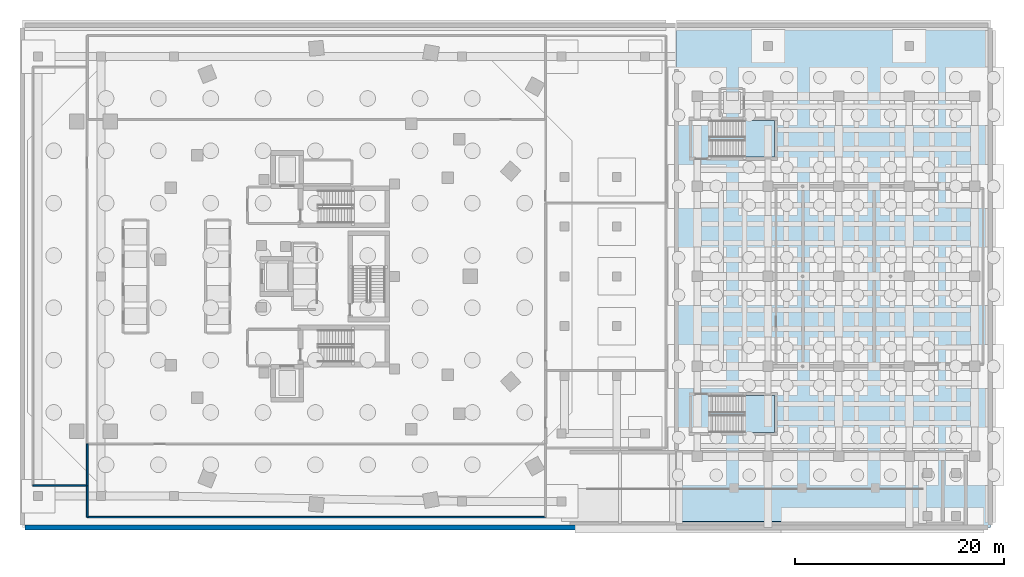
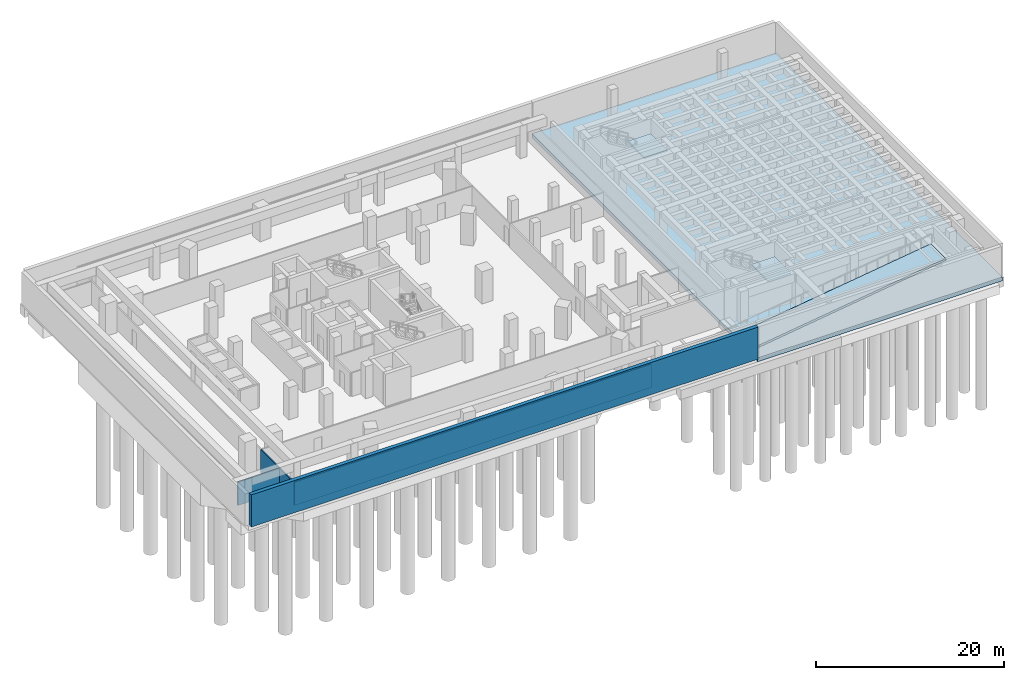
# One storey, part 7 of 15: 5 walls, 4 slabs, 2 elements without a shape of their own.
"""IFC4 building model written with IfcOpenShell, lengths in metres."""

from ifc_helpers import new_model, si_unit, direction, frame, frame_2d, origin, place, context, subcontext, project, spatial, polyline, rectangle, outline, extrude, material, layer, layer_set, type_object, element, aggregate, save


model = new_model("IFC4")

# Units and contexts
model_context = context("Model", 3, precision=1e-05, world=origin(), true_north=direction((0.0, 1.0)))
body_context = subcontext(model_context, "Body", "Model", "MODEL_VIEW")
ifc_project = project(units=[si_unit("LENGTHUNIT", "METRE"), si_unit("AREAUNIT", "SQUARE_METRE"), si_unit("VOLUMEUNIT", "CUBIC_METRE"), si_unit("PLANEANGLEUNIT", "RADIAN"), si_unit("MASSUNIT", "GRAM", prefix="KILO")], contexts=[model_context])

# Site, building, storey
site_placement = place(None, origin())
site = spatial("IfcSite", under=ifc_project, at=site_placement, CompositionType="ELEMENT")
building_placement = place(site_placement, origin())
building = spatial("IfcBuilding", under=site, at=building_placement, Name="Korentha Bioscience Tower", CompositionType="ELEMENT")
storey_placement = place(building_placement, frame((0.0, 0.0, -9.0)))
storey = spatial("IfcBuildingStorey", under=building, at=storey_placement, Name="B2", CompositionType="ELEMENT", Elevation=-9.0)

# Slab
ifc_material_1 = material(Name="Concrete C50", Category="concrete")
ifc_layer_1 = layer(ifc_material_1, 0.5, Name="Concrete C50")
ifc_layer_set_1 = layer_set([ifc_layer_1], Name="Concrete C50 (SL-B2)")
slab_type_1 = type_object("IfcSlabType", Name="Basement Mat Base Slab 300", PredefinedType="BASESLAB", material=ifc_layer_set_1)
slab_1_placement = place(storey_placement, frame((0.0, 0.0, -0.5)))
element("IfcSlab", 1, at=slab_1_placement, inside=storey, type_object=slab_type_1, Name="B2 Civic Theatre Mat Base Slab", PredefinedType="BASESLAB", context=body_context, shape_type="SweptSolid", body=[
    extrude(outline(polyline([(64.5, 3.0), (94.5, 3.0), (94.5, 51.0), (64.5, 51.0), (64.5, 3.0)])), origin(), (0.0, 0.0, 1.0), 0.5),
])

# Stair, slab
ifc_material_2 = material(Name="Precast Concrete C50", Category="concrete")
stair_type = type_object("IfcStairType", Name="Theatre Public Dog-Leg Stair 1650", PredefinedType="HALF_TURN_STAIR", material=ifc_material_2)
stair_1_placement = place(storey_placement, origin())
stair_1 = element("IfcStair", 2, at=stair_1_placement, inside=storey, type_object=stair_type, Name="B2 Civic Theatre South Exit Stair ST-T1", PredefinedType="HALF_TURN_STAIR")
ifc_layer_2 = layer(ifc_material_1, 0.199951171875, Name="Concrete C50")
ifc_layer_set_2 = layer_set([ifc_layer_2], Name="Concrete C50 (SL-LND)")
slab_type_2 = type_object("IfcSlabType", Name="Landing Slab 200", PredefinedType="LANDING", material=ifc_layer_set_2)
slab_2_placement = place(storey_placement, frame((0.0, 0.0, 2.050048828125)))
slab_2 = element("IfcSlab", 3, at=slab_2_placement, type_object=slab_type_2, Name="ST-T1 landing 1", PredefinedType="LANDING", context=body_context, shape_type="SweptSolid", body=[
    extrude(outline(polyline([(71.010009765625, 12.10009765625), (73.85009765625, 12.10009765625), (73.85009765625, 15.60009765625), (71.010009765625, 15.60009765625), (71.010009765625, 12.10009765625)])), origin(), (0.0, 0.0, 1.0), 0.199951171875),
])
aggregate(stair_1, [slab_2])

stair_2_placement = place(storey_placement, origin())
stair_2 = element("IfcStair", 4, at=stair_2_placement, inside=storey, type_object=stair_type, Name="B2 Civic Theatre North Exit Stair ST-T2", PredefinedType="HALF_TURN_STAIR")
slab_3_placement = place(storey_placement, frame((0.0, 0.0, 2.050048828125)))
slab_3 = element("IfcSlab", 5, at=slab_3_placement, type_object=slab_type_2, Name="ST-T2 landing 1", PredefinedType="LANDING", context=body_context, shape_type="SweptSolid", body=[
    extrude(outline(polyline([(71.010009765625, 38.39990234375), (73.85009765625, 38.39990234375), (73.85009765625, 41.89990234375), (71.010009765625, 41.89990234375), (71.010009765625, 38.39990234375)])), origin(), (0.0, 0.0, 1.0), 0.199951171875),
])
aggregate(stair_2, [slab_3])

# Slab
ifc_material_3 = material(Name="Concrete C40", Category="concrete")
ifc_layer_3 = layer(ifc_material_3, 0.260009765625, Name="Concrete C40")
ifc_layer_set_3 = layer_set([ifc_layer_3], Name="Concrete C40 (SL-RMP)")
slab_type_3 = type_object("IfcSlabType", Name="Vehicle Ramp Structural Slab 260", PredefinedType="FLOOR", material=ifc_layer_set_3)
slab_4_placement = place(storey_placement, frame((64.5, 3.60009765625, 1.04833984375), z_axis=(-0.140015178386, 0.0, 0.99014935733), x_axis=(0.99014935733, 0.0, 0.140015178386)))
element("IfcSlab", 6, at=slab_4_placement, inside=storey, type_object=slab_type_3, Name="B2-B1 East Vehicle Ramp Structural Slab", PredefinedType="FLOOR", context=body_context, shape_type="SweptSolid", body=[
    extrude(outline(polyline([(0.0, 0.0), (23.65283203125, 0.0), (23.65283203125, 3.14990234375), (0.0, 3.14990234375), (0.0, 0.0)])), origin(), (0.0, 0.0, -1.0), 0.260009765625),
])

# Walls
ifc_material_4 = material(Name="Double-Stud Acoustic Gypsum", Category="gypsum")
ifc_layer_4 = layer(ifc_material_4, 0.14990234375, Name="Double-Stud Acoustic Gypsum")
ifc_layer_set_4 = layer_set([ifc_layer_4], Name="Double-Stud Acoustic Gypsum (IW-L150)")
wall_type_1 = type_object("IfcWallType", Name="Acoustic Laboratory Partition Wall 150", PredefinedType="PARTITIONING", material=ifc_layer_set_4)
wall_1_placement = place(storey_placement, frame((8.199951171875, 10.989990234375, 0.0), z_axis=(0.0, 0.0, 1.0), x_axis=(0.0, -1.0, 0.0)))
element("IfcWall", 7, at=wall_1_placement, inside=storey, type_object=wall_type_1, Name="B2 Interior Partition 009", PredefinedType="PARTITIONING", context=body_context, shape_type="SweptSolid", body=[
    extrude(rectangle(XDim=3.989990234375, YDim=0.14990234375, at=frame_2d((1.9951171875, 0.0))), origin(), (0.0, 0.0, 1.0), 3.0400390625),
])
wall_2_placement = place(storey_placement, frame((8.199951171875, 7.0, 0.0), z_axis=(0.0, 0.0, 1.0), x_axis=(-1.0, 0.0, 0.0)))
element("IfcWall", 8, at=wall_2_placement, inside=storey, type_object=wall_type_1, Name="B2 Interior Partition 010", PredefinedType="PARTITIONING", context=body_context, shape_type="SweptSolid", body=[
    extrude(rectangle(XDim=5.199951171875, YDim=0.14990234375, at=frame_2d((2.60009765625, 0.0))), origin(), (0.0, 0.0, 1.0), 3.0400390625),
])
wall_3_placement = place(storey_placement, frame((52.0, 4.0, 0.0), z_axis=(0.0, 0.0, 1.0), x_axis=(-1.0, 0.0, 0.0)))
element("IfcWall", 9, at=wall_3_placement, inside=storey, type_object=wall_type_1, Name="B2 Interior Partition 016", PredefinedType="PARTITIONING", context=body_context, shape_type="SweptSolid", body=[
    extrude(rectangle(XDim=43.800048828125, YDim=0.14990234375, at=frame_2d((21.89990234375, 0.0))), origin(), (0.0, 0.0, 1.0), 3.0400390625),
])
wall_4_placement = place(storey_placement, frame((8.199951171875, 4.0, 0.0), z_axis=(0.0, 0.0, 1.0), x_axis=(0.0, 1.0, 0.0)))
element("IfcWall", 10, at=wall_4_placement, inside=storey, type_object=wall_type_1, Name="B2 Interior Partition 017", PredefinedType="PARTITIONING", context=body_context, shape_type="SweptSolid", body=[
    extrude(rectangle(XDim=2.989990234375, YDim=0.14990234375, at=frame_2d((1.4951171875, 0.0))), origin(), (0.0, 0.0, 1.0), 3.0400390625),
])
ifc_layer_5 = layer(ifc_material_1, 0.449951171875, Name="Concrete C50")
ifc_layer_set_5 = layer_set([ifc_layer_5], Name="Concrete C50 (RW-01)")
wall_type_2 = type_object("IfcWallType", Name="Basement Perimeter Retaining Wall 450", PredefinedType="USERDEFINED", material=ifc_layer_set_5)
wall_5_placement = place(storey_placement, frame((64.419921875, 3.0, 0.0), z_axis=(0.0, 0.0, 1.0), x_axis=(-1.0, 0.0, 0.0)))
element("IfcWall", 11, at=wall_5_placement, inside=storey, type_object=wall_type_2, Name="B2 Retaining Liner Wall SW", ObjectType="RETAININGWALL", PredefinedType="USERDEFINED", context=body_context, shape_type="SweptSolid", body=[
    extrude(rectangle(XDim=62.169921875, YDim=0.449951171875, at=frame_2d((31.0849609375, 0.0))), origin(), (0.0, 0.0, 1.0), 4.179931640625),
])

save(model, "model.ifc")
